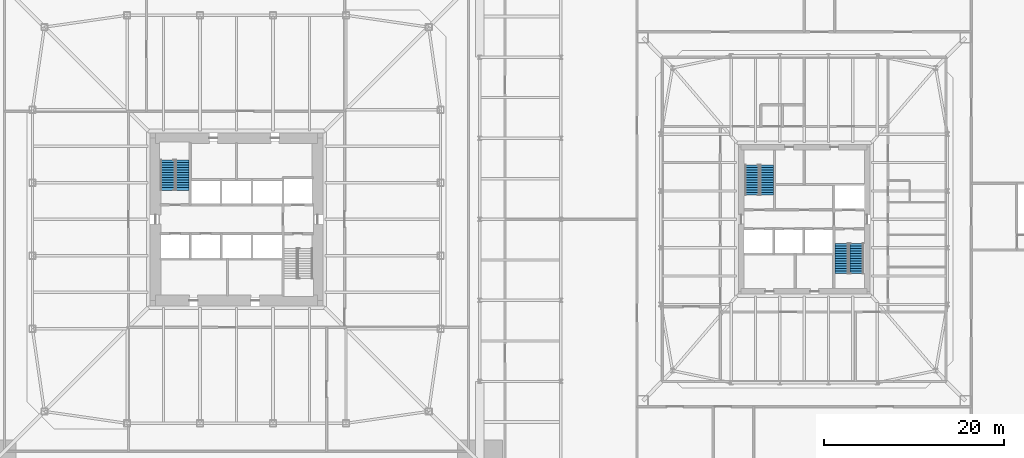
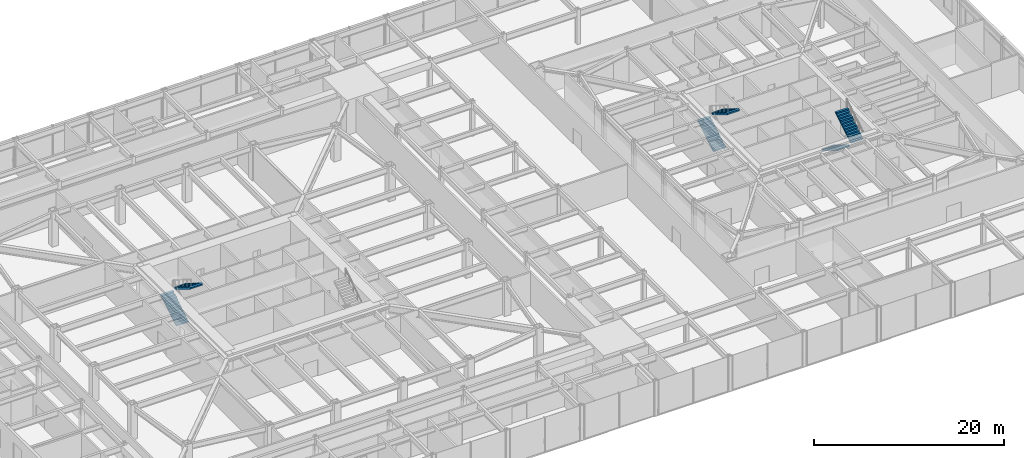
# One storey, part 28 of 30: 6 stair flights, 3 elements without a shape of their own.
"""IFC4 building model written with IfcOpenShell, lengths in metres."""

from ifc_helpers import new_model, si_unit, direction, frame, origin, place, context, subcontext, project, spatial, polyline, outline, extrude, material, constituent, constituent_set, type_object, element, aggregate, save


model = new_model("IFC4")

# Units and contexts
model_context = context("Model", 3, precision=1e-05, world=origin(), true_north=direction((0.0, 1.0)))
body_context = subcontext(model_context, "Body", "Model", "MODEL_VIEW")
ifc_project = project(units=[si_unit("LENGTHUNIT", "METRE"), si_unit("AREAUNIT", "SQUARE_METRE"), si_unit("VOLUMEUNIT", "CUBIC_METRE"), si_unit("PLANEANGLEUNIT", "RADIAN"), si_unit("MASSUNIT", "GRAM", prefix="KILO")], contexts=[model_context])

# Site, building, storey
site_placement = place(None, origin())
site = spatial("IfcSite", under=ifc_project, at=site_placement, CompositionType="ELEMENT")
building_placement = place(site_placement, origin())
building = spatial("IfcBuilding", under=site, at=building_placement, Name="Iwan Alto Co-Living Towers", CompositionType="ELEMENT")
storey_placement = place(building_placement, frame((0.0, 0.0, 10.5)))
storey = spatial("IfcBuildingStorey", under=building, at=storey_placement, Name="L02", CompositionType="ELEMENT", Elevation=10.5)

# Stair, stair flights
ifc_material_1 = material(Name="Steel ASTM A36", Category="steel")
ifc_constituent_1 = constituent(ifc_material_1, Name="Stringers", Category="LoadBearing")
ifc_material_2 = material(Name="Concrete f'c 30 MPa", Category="concrete")
ifc_constituent_2 = constituent(ifc_material_2, Name="Tread fill", Category="Finish")
ifc_constituent_set_1 = constituent_set(constituents=[ifc_constituent_1, ifc_constituent_2], Name="STAIR 4500 TWO-FLIGHT T1 CORE")
stair_type_1 = type_object("IfcStairType", Name="STAIR 4500 TWO-FLIGHT T1 CORE", PredefinedType="HALF_TURN_STAIR", material=ifc_constituent_set_1)
stair_1_placement = place(storey_placement, origin())
stair_1 = element("IfcStair", 1, at=stair_1_placement, inside=storey, type_object=stair_type_1, Name="Stair T1-S1 L02 to L03", PredefinedType="HALF_TURN_STAIR")
ifc_constituent_3 = constituent(ifc_material_1, Name="Stringers", Category="LoadBearing")
ifc_constituent_4 = constituent(ifc_material_2, Name="Tread fill", Category="Finish")
ifc_constituent_set_2 = constituent_set(constituents=[ifc_constituent_3, ifc_constituent_4], Name="STAIR FLIGHT 13 RISERS 280 GOING")
stair_flight_type = type_object("IfcStairFlightType", Name="STAIR FLIGHT 13 RISERS 280 GOING", PredefinedType="STRAIGHT", material=ifc_constituent_set_2)
stair_flight_1_placement = place(storey_placement, frame((-7.68994140625, 3.219970703125, 0.0), z_axis=(0.0, 0.0, 1.0), x_axis=(0.0, 1.0, 0.0)))
stair_flight_1 = element("IfcStairFlight", 2, at=stair_flight_1_placement, type_object=stair_flight_type, Name="T1-S1 flight 1", NumberOfRisers=13, NumberOfTreads=12, PredefinedType="STRAIGHT", RiserHeight=0.173077, TreadLength=0.28, context=body_context, shape_type="SweptSolid", body=[
    extrude(outline(polyline([(0.0, 0.0), (0.0, 0.173095703125), (0.280029296875, 0.173095703125), (0.280029296875, 0.34619140625), (0.56005859375, 0.34619140625), (0.56005859375, 0.519287109375), (0.840087890625, 0.519287109375), (0.840087890625, 0.6923828125), (1.1201171875, 0.6923828125), (1.1201171875, 0.865478515625), (1.39990234375, 0.865478515625), (1.39990234375, 1.03857421875), (1.679931640625, 1.03857421875), (1.679931640625, 1.21142578125), (1.9599609375, 1.21142578125), (1.9599609375, 1.384521484375), (2.239990234375, 1.384521484375), (2.239990234375, 1.5576171875), (2.52001953125, 1.5576171875), (2.52001953125, 1.730712890625), (2.800048828125, 1.730712890625), (2.800048828125, 1.90380859375), (3.080078125, 1.90380859375), (3.080078125, 2.076904296875), (3.360107421875, 2.076904296875), (3.360107421875, 2.25), (3.360107421875, 1.900634765625), (0.28515625, 0.0), (0.0, 0.0)])), frame((0.0, 0.739990234375, 0.0), z_axis=(0.0, -1.0, 0.0), x_axis=(1.0, 0.0, 0.0)), (0.0, 0.0, 1.0), 1.47998046875),
])
stair_flight_2_placement = place(storey_placement, frame((-6.010009765625, 6.580078125, 2.25), z_axis=(0.0, 0.0, 1.0), x_axis=(0.0, -1.0, 0.0)))
stair_flight_2 = element("IfcStairFlight", 3, at=stair_flight_2_placement, type_object=stair_flight_type, Name="T1-S1 flight 2", NumberOfRisers=13, NumberOfTreads=12, PredefinedType="STRAIGHT", RiserHeight=0.173077, TreadLength=0.28, context=body_context, shape_type="SweptSolid", body=[
    extrude(outline(polyline([(0.0, 0.0), (0.0, 0.173095703125), (0.280029296875, 0.173095703125), (0.280029296875, 0.34619140625), (0.56005859375, 0.34619140625), (0.56005859375, 0.519287109375), (0.840087890625, 0.519287109375), (0.840087890625, 0.6923828125), (1.1201171875, 0.6923828125), (1.1201171875, 0.865478515625), (1.39990234375, 0.865478515625), (1.39990234375, 1.03857421875), (1.679931640625, 1.03857421875), (1.679931640625, 1.21142578125), (1.9599609375, 1.21142578125), (1.9599609375, 1.384521484375), (2.239990234375, 1.384521484375), (2.239990234375, 1.5576171875), (2.52001953125, 1.5576171875), (2.52001953125, 1.730712890625), (2.800048828125, 1.730712890625), (2.800048828125, 1.90380859375), (3.080078125, 1.90380859375), (3.080078125, 2.076904296875), (3.360107421875, 2.076904296875), (3.360107421875, 2.25), (3.360107421875, 1.900634765625), (0.28515625, 0.0), (0.0, 0.0)])), frame((0.0, 0.739990234375, 0.0), z_axis=(0.0, -1.0, 0.0), x_axis=(1.0, 0.0, 0.0)), (0.0, 0.0, 1.0), 1.47998046875),
])
aggregate(stair_1, [stair_flight_1, stair_flight_2])

ifc_constituent_5 = constituent(ifc_material_1, Name="Stringers", Category="LoadBearing")
ifc_constituent_6 = constituent(ifc_material_2, Name="Tread fill", Category="Finish")
ifc_constituent_set_3 = constituent_set(constituents=[ifc_constituent_5, ifc_constituent_6], Name="STAIR 4500 TWO-FLIGHT T2 CORE")
stair_type_2 = type_object("IfcStairType", Name="STAIR 4500 TWO-FLIGHT T2 CORE", PredefinedType="HALF_TURN_STAIR", material=ifc_constituent_set_3)
stair_2_placement = place(storey_placement, origin())
stair_2 = element("IfcStair", 4, at=stair_2_placement, inside=storey, type_object=stair_type_2, Name="Stair T2-S1 L02 to L03", PredefinedType="HALF_TURN_STAIR")
stair_flight_3_placement = place(storey_placement, frame((57.159912109375, 2.669921875, 0.0), z_axis=(0.0, 0.0, 1.0), x_axis=(0.0, 1.0, 0.0)))
stair_flight_3 = element("IfcStairFlight", 5, at=stair_flight_3_placement, type_object=stair_flight_type, Name="T2-S1 flight 1", NumberOfRisers=13, NumberOfTreads=12, PredefinedType="STRAIGHT", RiserHeight=0.173077, TreadLength=0.28, context=body_context, shape_type="SweptSolid", body=[
    extrude(outline(polyline([(0.0, 0.0), (0.0, 0.173095703125), (0.280029296875, 0.173095703125), (0.280029296875, 0.34619140625), (0.56005859375, 0.34619140625), (0.56005859375, 0.519287109375), (0.840087890625, 0.519287109375), (0.840087890625, 0.6923828125), (1.1201171875, 0.6923828125), (1.1201171875, 0.865478515625), (1.39990234375, 0.865478515625), (1.39990234375, 1.03857421875), (1.679931640625, 1.03857421875), (1.679931640625, 1.21142578125), (1.9599609375, 1.21142578125), (1.9599609375, 1.384521484375), (2.239990234375, 1.384521484375), (2.239990234375, 1.5576171875), (2.52001953125, 1.5576171875), (2.52001953125, 1.730712890625), (2.800048828125, 1.730712890625), (2.800048828125, 1.90380859375), (3.080078125, 1.90380859375), (3.080078125, 2.076904296875), (3.360107421875, 2.076904296875), (3.360107421875, 2.25), (3.360107421875, 1.900634765625), (0.28515625, 0.0), (0.0, 0.0)])), frame((0.0, 0.739990234375, 0.0), z_axis=(0.0, -1.0, 0.0), x_axis=(1.0, 0.0, 0.0)), (0.0, 0.0, 1.0), 1.47998046875),
])
stair_flight_4_placement = place(storey_placement, frame((58.840087890625, 6.030029296875, 2.25), z_axis=(0.0, 0.0, 1.0), x_axis=(0.0, -1.0, 0.0)))
stair_flight_4 = element("IfcStairFlight", 6, at=stair_flight_4_placement, type_object=stair_flight_type, Name="T2-S1 flight 2", NumberOfRisers=13, NumberOfTreads=12, PredefinedType="STRAIGHT", RiserHeight=0.173077, TreadLength=0.28, context=body_context, shape_type="SweptSolid", body=[
    extrude(outline(polyline([(0.0, 0.0), (0.0, 0.173095703125), (0.280029296875, 0.173095703125), (0.280029296875, 0.34619140625), (0.56005859375, 0.34619140625), (0.56005859375, 0.519287109375), (0.840087890625, 0.519287109375), (0.840087890625, 0.6923828125), (1.1201171875, 0.6923828125), (1.1201171875, 0.865478515625), (1.39990234375, 0.865478515625), (1.39990234375, 1.03857421875), (1.679931640625, 1.03857421875), (1.679931640625, 1.21142578125), (1.9599609375, 1.21142578125), (1.9599609375, 1.384521484375), (2.239990234375, 1.384521484375), (2.239990234375, 1.5576171875), (2.52001953125, 1.5576171875), (2.52001953125, 1.730712890625), (2.800048828125, 1.730712890625), (2.800048828125, 1.90380859375), (3.080078125, 1.90380859375), (3.080078125, 2.076904296875), (3.360107421875, 2.076904296875), (3.360107421875, 2.25), (3.360107421875, 1.900634765625), (0.28515625, 0.0), (0.0, 0.0)])), frame((0.0, 0.739990234375, 0.0), z_axis=(0.0, -1.0, 0.0), x_axis=(1.0, 0.0, 0.0)), (0.0, 0.0, 1.0), 1.47998046875),
])
aggregate(stair_2, [stair_flight_3, stair_flight_4])

stair_3_placement = place(storey_placement, origin())
stair_3 = element("IfcStair", 7, at=stair_3_placement, inside=storey, type_object=stair_type_2, Name="Stair T2-S2 L02 to L03", PredefinedType="HALF_TURN_STAIR")
stair_flight_5_placement = place(storey_placement, frame((67.159912109375, -2.669921875, 0.0), z_axis=(0.0, 0.0, 1.0), x_axis=(0.0, -1.0, 0.0)))
stair_flight_5 = element("IfcStairFlight", 8, at=stair_flight_5_placement, type_object=stair_flight_type, Name="T2-S2 flight 1", NumberOfRisers=13, NumberOfTreads=12, PredefinedType="STRAIGHT", RiserHeight=0.173077, TreadLength=0.28, context=body_context, shape_type="SweptSolid", body=[
    extrude(outline(polyline([(0.0, 0.0), (0.0, 0.173095703125), (0.280029296875, 0.173095703125), (0.280029296875, 0.34619140625), (0.56005859375, 0.34619140625), (0.56005859375, 0.519287109375), (0.840087890625, 0.519287109375), (0.840087890625, 0.6923828125), (1.1201171875, 0.6923828125), (1.1201171875, 0.865478515625), (1.39990234375, 0.865478515625), (1.39990234375, 1.03857421875), (1.679931640625, 1.03857421875), (1.679931640625, 1.21142578125), (1.9599609375, 1.21142578125), (1.9599609375, 1.384521484375), (2.239990234375, 1.384521484375), (2.239990234375, 1.5576171875), (2.52001953125, 1.5576171875), (2.52001953125, 1.730712890625), (2.800048828125, 1.730712890625), (2.800048828125, 1.90380859375), (3.080078125, 1.90380859375), (3.080078125, 2.076904296875), (3.360107421875, 2.076904296875), (3.360107421875, 2.25), (3.360107421875, 1.900634765625), (0.28515625, 0.0), (0.0, 0.0)])), frame((0.0, 0.739990234375, 0.0), z_axis=(0.0, -1.0, 0.0), x_axis=(1.0, 0.0, 0.0)), (0.0, 0.0, 1.0), 1.47998046875),
])
stair_flight_6_placement = place(storey_placement, frame((68.840087890625, -6.030029296875, 2.25), z_axis=(0.0, 0.0, 1.0), x_axis=(0.0, 1.0, 0.0)))
stair_flight_6 = element("IfcStairFlight", 9, at=stair_flight_6_placement, type_object=stair_flight_type, Name="T2-S2 flight 2", NumberOfRisers=13, NumberOfTreads=12, PredefinedType="STRAIGHT", RiserHeight=0.173077, TreadLength=0.28, context=body_context, shape_type="SweptSolid", body=[
    extrude(outline(polyline([(0.0, 0.0), (0.0, 0.173095703125), (0.280029296875, 0.173095703125), (0.280029296875, 0.34619140625), (0.56005859375, 0.34619140625), (0.56005859375, 0.519287109375), (0.840087890625, 0.519287109375), (0.840087890625, 0.6923828125), (1.1201171875, 0.6923828125), (1.1201171875, 0.865478515625), (1.39990234375, 0.865478515625), (1.39990234375, 1.03857421875), (1.679931640625, 1.03857421875), (1.679931640625, 1.21142578125), (1.9599609375, 1.21142578125), (1.9599609375, 1.384521484375), (2.239990234375, 1.384521484375), (2.239990234375, 1.5576171875), (2.52001953125, 1.5576171875), (2.52001953125, 1.730712890625), (2.800048828125, 1.730712890625), (2.800048828125, 1.90380859375), (3.080078125, 1.90380859375), (3.080078125, 2.076904296875), (3.360107421875, 2.076904296875), (3.360107421875, 2.25), (3.360107421875, 1.900634765625), (0.28515625, 0.0), (0.0, 0.0)])), frame((0.0, 0.739990234375, 0.0), z_axis=(0.0, -1.0, 0.0), x_axis=(1.0, 0.0, 0.0)), (0.0, 0.0, 1.0), 1.47998046875),
])
aggregate(stair_3, [stair_flight_5, stair_flight_6])

save(model, "model.ifc")
